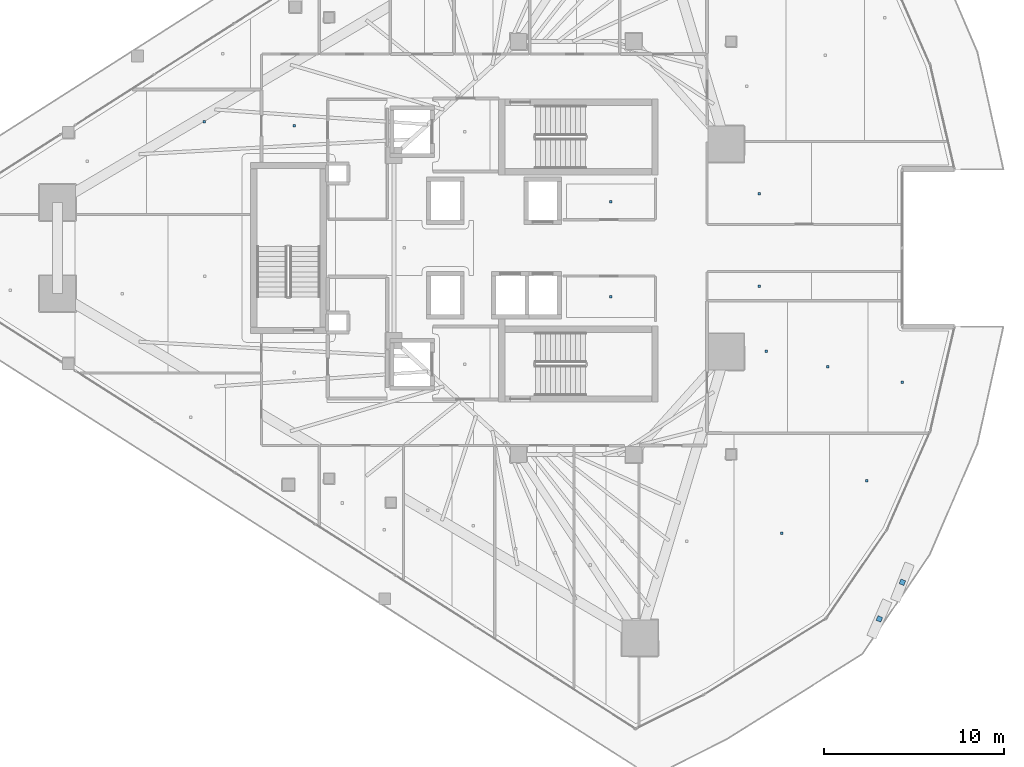
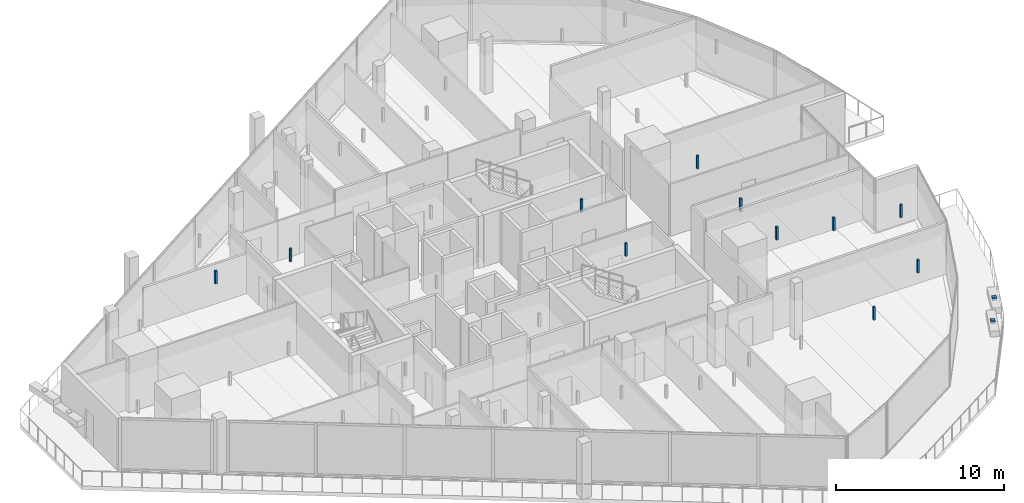
# One storey, part 26 of 33: 13 discrete accessories.
"""IFC4 building model written with IfcOpenShell, lengths in metres."""

import ifcopenshell
import ifcopenshell.guid

model = None  # the IFC model being written
_history = None  # IfcOwnerHistory: only IFC2X3 demands one
_inside = {}  # id of a spatial element -> (the spatial element, [elements in it])
_under = {}  # id of a project, library or spatial element -> (it, [spatial elements below it])
_declared = {}  # id of a project -> (the project, [libraries it declares])
_typed = {}  # id of a type object -> (the type object, [elements of that type])
_made_of = {}  # id of a material, layer set ... -> (it, [elements and type objects made of it])


def new_model(schema):
    """Start an empty IFC model of exactly this schema.

    Asked for "IFC4X3", IfcOpenShell would pick the latest addendum, in which some entities
    have other attributes; the version numbers below select the first issue.
    IFC2X3 requires an IfcOwnerHistory on every rooted entity: one is made here for all.
    """
    global model, _history
    if schema == "IFC4X3":
        model = ifcopenshell.file(schema_version=(4, 3, 0, 0))
    else:
        model = ifcopenshell.file(schema=schema)
    _inside.clear()
    _under.clear()
    _declared.clear()
    _typed.clear()
    _made_of.clear()
    _history = None
    if model.schema == "IFC2X3":
        org = make("IfcOrganization", Name="unknown")
        user = make(
            "IfcPersonAndOrganization",
            ThePerson=make("IfcPerson", FamilyName="unknown"),
            TheOrganization=org,
        )
        app = make(
            "IfcApplication",
            ApplicationDeveloper=org,
            Version="unknown",
            ApplicationFullName="unknown",
            ApplicationIdentifier="unknown",
        )
        _history = make(
            "IfcOwnerHistory",
            OwningUser=user,
            OwningApplication=app,
            ChangeAction="ADDED",
            CreationDate=0,
        )
    return model


def make(cls, **values):
    """One entity of the class cls with the attributes given. An attribute that is None is left unset."""
    return model.create_entity(
        cls, **{name: value for name, value in values.items() if value is not None}
    )


def rooted(cls, **values):
    """An entity with a GlobalId (a new one), such as an element, a storey or a relation."""
    return make(cls, GlobalId=ifcopenshell.guid.new(), OwnerHistory=_history, **values)


def si_unit(unit_type, name, prefix=None):
    """IfcSIUnit, for example si_unit("LENGTHUNIT", "METRE", prefix="MILLI")."""
    return make("IfcSIUnit", UnitType=unit_type, Prefix=prefix, Name=name)


def assignment(units):
    """IfcUnitAssignment: the units of a project."""
    return None if units is None else make("IfcUnitAssignment", Units=units)


def point(xyz):
    """IfcCartesianPoint."""
    return None if xyz is None else make("IfcCartesianPoint", Coordinates=xyz)


def direction(xyz):
    """IfcDirection."""
    return None if xyz is None else make("IfcDirection", DirectionRatios=xyz)


def frame(location, z_axis=None, x_axis=None):
    """IfcAxis2Placement3D, a coordinate frame: its origin and axes. An axis left out is left unset."""
    return make(
        "IfcAxis2Placement3D",
        Location=point(location),
        Axis=direction(z_axis),
        RefDirection=direction(x_axis),
    )


def frame_2d(location, x_axis=None):
    """IfcAxis2Placement2D, a coordinate frame in the plane: its origin and x axis."""
    return make(
        "IfcAxis2Placement2D", Location=point(location), RefDirection=direction(x_axis)
    )


def origin():
    """The frame at (0, 0, 0) with its axes left unset."""
    return frame((0.0, 0.0, 0.0))


def origin_2d():
    """The frame at (0, 0) in the plane with its x axis left unset."""
    return frame_2d((0.0, 0.0))


def place(relative_to, where):
    """IfcLocalPlacement: puts the frame where relative to a parent placement (None: the world)."""
    return make(
        "IfcLocalPlacement", PlacementRelTo=relative_to, RelativePlacement=where
    )


def context(
    kind, dimensions, precision=None, world=None, true_north=None, identifier=None
):
    """IfcGeometricRepresentationContext, for example the 3D "Model" context."""
    return make(
        "IfcGeometricRepresentationContext",
        ContextIdentifier=identifier,
        ContextType=kind,
        CoordinateSpaceDimension=dimensions,
        Precision=precision,
        WorldCoordinateSystem=world,
        TrueNorth=true_north,
    )


def subcontext(parent, identifier, kind, view, scale=None):
    """IfcGeometricRepresentationSubContext, for example "Body" below "Model"."""
    return make(
        "IfcGeometricRepresentationSubContext",
        ContextIdentifier=identifier,
        ContextType=kind,
        ParentContext=parent,
        TargetScale=scale,
        TargetView=view,
    )


def project(units=None, contexts=None):
    """IfcProject with its units and contexts."""
    return rooted(
        "IfcProject",
        Name="project",
        RepresentationContexts=contexts,
        UnitsInContext=assignment(units),
    )


def spatial(cls, under=None, at=None, **own):
    """A site, building, storey or space (cls), placed at a placement, below another one or the project."""
    s = rooted(cls, ObjectPlacement=at, **own)
    if under is not None:
        _under.setdefault(under.id(), (under, []))[1].append(s)
    return s


def profile(cls, at=None, kind="AREA", **sizes):
    """A parametric profile (cls). Its sizes go by their IFC names, for example OverallWidth=200.0."""
    return make(cls, ProfileType=kind, Position=at, **sizes)


def rectangle(**sizes):
    """IfcRectangleProfileDef."""
    return profile("IfcRectangleProfileDef", **sizes)


def extrude(swept, where, along, depth):
    """IfcExtrudedAreaSolid: the profile swept, set in the frame where, extruded along a direction by depth."""
    return make(
        "IfcExtrudedAreaSolid",
        SweptArea=swept,
        Position=where,
        ExtrudedDirection=direction(along),
        Depth=depth,
    )


def shape(context_of_items, identifier, shape_type, items):
    """IfcShapeRepresentation: the items that make up one representation, for example the "Body"."""
    return make(
        "IfcShapeRepresentation",
        ContextOfItems=context_of_items,
        RepresentationIdentifier=identifier,
        RepresentationType=shape_type,
        Items=items,
    )


def material(Name=None, Category=None):
    """IfcMaterial."""
    return make("IfcMaterial", Name=Name, Category=Category)


def made_of(thing, what):
    """Note that an element or type object is made of a material, layer set ...; save() writes the relation."""
    if what is not None:
        _made_of.setdefault(what.id(), (what, []))[1].append(thing)
    return thing


def type_object(cls, material=None, **own):
    """A type object (cls), such as IfcWallType, which elements share."""
    return made_of(rooted(cls, **own), material)


def element(
    cls,
    number,
    at=None,
    inside=None,
    cuts=None,
    type_object=None,
    material=None,
    context=None,
    identifier="Body",
    shape_type=None,
    held_by="IfcProductDefinitionShape",
    body=None,
    shapes=None,
    **own,
):
    """One element of the class cls, such as IfcWall. Its Tag is "e" and its number.

    at: its placement. inside: the storey or other place that contains it. cuts: it is an
    opening in that element (IfcRelVoidsElement). A single representation is given by context,
    identifier, shape_type and body (its items); several are given by shapes. held_by: the class
    of the entity that holds the representations. save() writes the other relations.
    """
    e = rooted(cls, Tag="e%d" % number, ObjectPlacement=at, **own)
    if body is not None:
        shapes = [shape(context, identifier, shape_type, body)]
    if shapes is not None:
        e.Representation = make(held_by, Representations=shapes)
    if inside is not None:
        _inside.setdefault(inside.id(), (inside, []))[1].append(e)
    if cuts is not None:
        rooted(
            "IfcRelVoidsElement", RelatingBuildingElement=cuts, RelatedOpeningElement=e
        )
    if type_object is not None:
        _typed.setdefault(type_object.id(), (type_object, []))[1].append(e)
    return made_of(e, material)


def aggregate(whole, parts):
    """IfcRelAggregates: a whole, such as a stair, and the parts it consists of."""
    return rooted("IfcRelAggregates", RelatingObject=whole, RelatedObjects=parts)


def save(model, path):
    """Write the relations noted so far, then the file.

    IfcRelAggregates (storeys below a building ...), IfcRelContainedInSpatialStructure (elements
    in a storey), IfcRelDefinesByType, IfcRelAssociatesMaterial and IfcRelDeclares: one each for
    every whole, place, type object, material and project.
    """
    for whole, parts in _under.values():
        aggregate(whole, parts)
    for where, things in _inside.values():
        rooted(
            "IfcRelContainedInSpatialStructure",
            RelatedElements=things,
            RelatingStructure=where,
        )
    for kind, things in _typed.values():
        rooted("IfcRelDefinesByType", RelatedObjects=things, RelatingType=kind)
    for what, things in _made_of.values():
        rooted("IfcRelAssociatesMaterial", RelatedObjects=things, RelatingMaterial=what)
    for by, libraries in _declared.values():
        rooted("IfcRelDeclares", RelatingContext=by, RelatedDefinitions=libraries)
    model.write(path)


model = new_model("IFC4")

# Units and contexts
model_context = context("Model", 3, precision=1e-05, world=origin(), true_north=direction((0.0, 1.0)))
body_context = subcontext(model_context, "Body", "Model", "MODEL_VIEW")
ifc_project = project(units=[si_unit("LENGTHUNIT", "METRE"), si_unit("AREAUNIT", "SQUARE_METRE"), si_unit("VOLUMEUNIT", "CUBIC_METRE"), si_unit("PLANEANGLEUNIT", "RADIAN"), si_unit("MASSUNIT", "GRAM", prefix="KILO")], contexts=[model_context])

# Site, building, storey
site_placement = place(None, origin())
site = spatial("IfcSite", under=ifc_project, at=site_placement, CompositionType="ELEMENT")
building_placement = place(site_placement, origin())
building = spatial("IfcBuilding", under=site, at=building_placement, Name="Qorvath Tower", CompositionType="ELEMENT")
storey_placement = place(building_placement, frame((0.0, 0.0, 209.10009765625)))
storey = spatial("IfcBuildingStorey", under=building, at=storey_placement, Name="L48", CompositionType="ELEMENT", Elevation=209.10009765625)

# Discrete accessories
ifc_material = material(Name="Galvanised steel bracket", Category="steel")
discrete_accessory_type = type_object("IfcDiscreteAccessoryType", Name="DA-BRACKET", PredefinedType="BRACKET", material=ifc_material)
for number, where, z_axis, x_axis, name in (
    (1, (-3.580078125, -20.580078125, 3.6396484375), (0.0, 0.0, 1.0), (0.399928360115, 0.916546401867, 0.0), "Louvre Wave Support Bracket L48-03"),
    (2, (-2.304443359375, -18.54248046875, 3.6396484375), (0.0, 0.0, 1.0), (0.364431492919, 0.931230200846, 0.0), "Louvre Wave Support Bracket L48-04"),
):
    element("IfcDiscreteAccessory", number, at=place(storey_placement, frame(where, z_axis=z_axis, x_axis=x_axis)), inside=storey, type_object=discrete_accessory_type, Name=name, PredefinedType="NOTDEFINED", context=body_context, shape_type="SweptSolid", body=[
        extrude(rectangle(XDim=0.280029296875, YDim=0.280029296875, at=origin_2d()), origin(), (0.0, 0.0, 1.0), 0.199951171875),
    ])
for number, where, z_axis, x_axis, name in (
    (3, (-18.472412109375, 2.5625, 2.85986328125), (0.0, 0.0, 1.0), (1.0, 0.0, 0.0), "Acoustic Ceiling Suspension Hanger T1-L48-003"),
    (4, (-18.472412109375, -2.70751953125, 2.85986328125), (0.0, 0.0, 1.0), (1.0, 0.0, 0.0), "Acoustic Ceiling Suspension Hanger T1-L48-004"),
    (5, (-36.040283203125, 6.782470703125, 2.85986328125), (0.0, 0.0, 1.0), (1.0, 0.0, 0.0), "Acoustic Ceiling Suspension Hanger T1-L48-008"),
    (6, (-8.993408203125, -15.82861328125, 2.85986328125), (0.0, 0.0, 1.0), (1.0, 0.0, 0.0), "Acoustic Ceiling Suspension Hanger T1-L48-029"),
    (7, (-4.2900390625, -12.900390625, 2.85986328125), (0.0, 0.0, 1.0), (1.0, 0.0, 0.0), "Acoustic Ceiling Suspension Hanger T1-L48-030"),
    (8, (-9.856201171875, -5.736572265625, 2.85986328125), (0.0, 0.0, 1.0), (1.0, 0.0, 0.0), "Acoustic Ceiling Suspension Hanger T1-L48-031"),
    (9, (-6.431884765625, -6.596923828125, 2.85986328125), (0.0, 0.0, 1.0), (1.0, 0.0, 0.0), "Acoustic Ceiling Suspension Hanger T1-L48-032"),
    (10, (-2.2998046875, -7.438720703125, 2.85986328125), (0.0, 0.0, 1.0), (1.0, 0.0, 0.0), "Acoustic Ceiling Suspension Hanger T1-L48-033"),
    (11, (-10.23974609375, 3.013671875, 2.85986328125), (0.0, 0.0, 1.0), (1.0, 0.0, 0.0), "Acoustic Ceiling Suspension Hanger T1-L48-034"),
    (12, (-10.23974609375, -2.113037109375, 2.85986328125), (0.0, 0.0, 1.0), (1.0, 0.0, 0.0), "Acoustic Ceiling Suspension Hanger T1-L48-035"),
    (13, (-41.045166015625, 7.00927734375, 2.85986328125), (0.0, 0.0, 1.0), (1.0, 0.0, 0.0), "Acoustic Ceiling Suspension Hanger T1-L48-046"),
):
    element("IfcDiscreteAccessory", number, at=place(storey_placement, frame(where, z_axis=z_axis, x_axis=x_axis)), inside=storey, type_object=discrete_accessory_type, Name=name, PredefinedType="NOTDEFINED", context=body_context, shape_type="SweptSolid", body=[
        extrude(rectangle(XDim=0.139892578125, YDim=0.139892578125, at=origin_2d()), origin(), (0.0, 0.0, 1.0), 0.949951171875),
    ])

save(model, "model.ifc")
